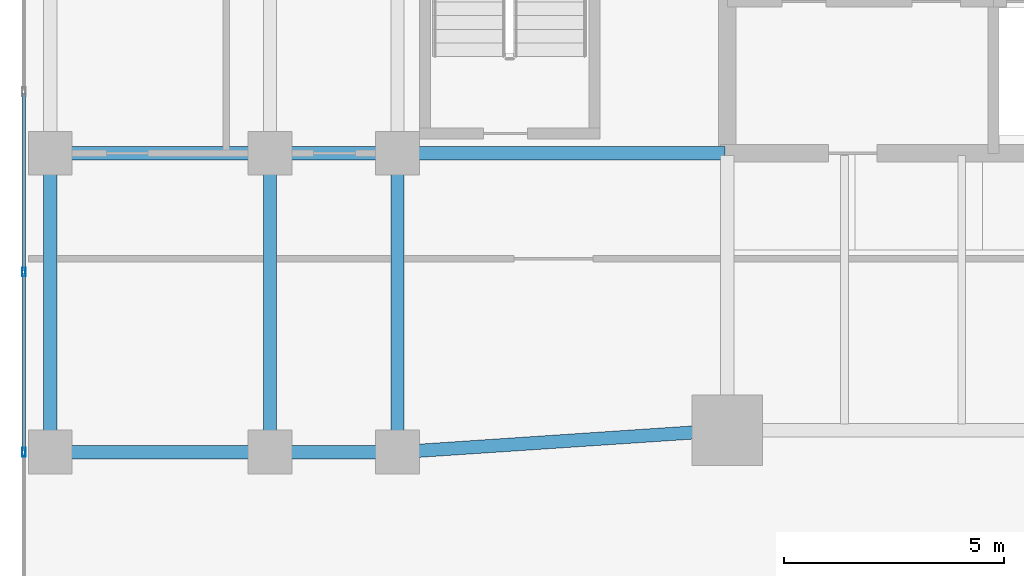
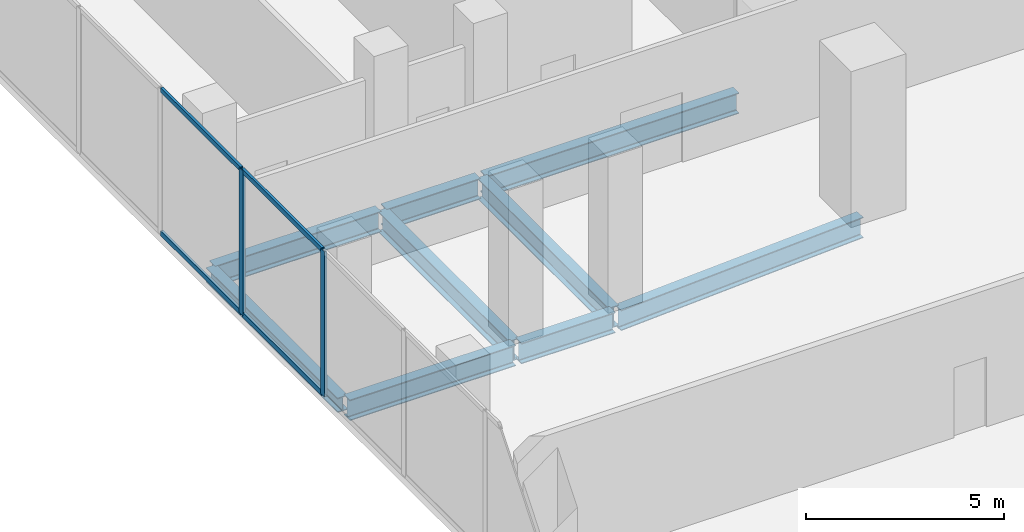
# One storey, part 8 of 24: 9 beams, 6 members, 1 element without a shape of its own.
"""IFC4 building model written with IfcOpenShell, lengths in metres."""

from ifc_helpers import new_model, si_unit, direction, frame, origin, origin_2d, place, context, subcontext, project, spatial, hollow_rectangle, i_section, extrude, material, layer, layer_set, material_profile, profile_set, type_object, element, aggregate, save


model = new_model("IFC4")

# Units and contexts
model_context = context("Model", 3, precision=1e-05, world=origin(), true_north=direction((0.0, 1.0)))
body_context = subcontext(model_context, "Body", "Model", "MODEL_VIEW")
ifc_project = project(units=[si_unit("LENGTHUNIT", "METRE"), si_unit("AREAUNIT", "SQUARE_METRE"), si_unit("VOLUMEUNIT", "CUBIC_METRE"), si_unit("PLANEANGLEUNIT", "RADIAN"), si_unit("MASSUNIT", "GRAM", prefix="KILO")], contexts=[model_context])

# Site, building, storey
site_placement = place(None, origin())
site = spatial("IfcSite", under=ifc_project, at=site_placement, CompositionType="ELEMENT")
building_placement = place(site_placement, origin())
building = spatial("IfcBuilding", under=site, at=building_placement, Name="Catumbela Crestline Tower", CompositionType="ELEMENT")
storey_placement = place(building_placement, frame((0.0, 0.0, 11.1)))
storey = spatial("IfcBuildingStorey", under=building, at=storey_placement, Name="L02", CompositionType="ELEMENT", Elevation=11.1)

# Beams
ifc_material_1 = material(Name="Structural steel S355J2", Category="steel")
ifc_material_profile_1 = material_profile(ifc_material_1, i_section(OverallWidth=0.3, OverallDepth=0.64, WebThickness=0.0135, FlangeThickness=0.026, FilletRadius=0.027, at=origin_2d()), Name="HEA 650")
ifc_profile_set_1 = profile_set([ifc_material_profile_1], Name="Structural steel S355J2")
beam_type_1 = type_object("IfcBeamType", Name="BG-HEA650", PredefinedType="BEAM", material=ifc_profile_set_1)
beam_1_placement = place(storey_placement, frame((0.68, 24.0, -0.64), z_axis=(1.0, 0.0, 0.0), x_axis=(0.0, 1.0, 0.0)))
element("IfcBeam", 1, at=beam_1_placement, inside=storey, type_object=beam_type_1, Name="L02 Beam BM-L02-S01", PredefinedType="BEAM", context=body_context, shape_type="SweptSolid", body=[
    extrude(i_section(OverallWidth=0.3, OverallDepth=0.64, WebThickness=0.0135, FlangeThickness=0.026, FilletRadius=0.027, at=origin_2d()), origin(), (0.0, 0.0, 1.0), 4.84),
])
beam_2_placement = place(storey_placement, frame((5.68, 24.0, -0.64), z_axis=(1.0, 0.0, 0.0), x_axis=(0.0, 1.0, 0.0)))
element("IfcBeam", 2, at=beam_2_placement, inside=storey, type_object=beam_type_1, Name="L02 Beam BM-L02-S02", PredefinedType="BEAM", context=body_context, shape_type="SweptSolid", body=[
    extrude(i_section(OverallWidth=0.3, OverallDepth=0.64, WebThickness=0.0135, FlangeThickness=0.026, FilletRadius=0.027, at=origin_2d()), origin(), (0.0, 0.0, 1.0), 2.74),
])
beam_3_placement = place(storey_placement, frame((8.5798, 24.0053, -0.64), z_axis=(0.997784796964, 0.066524423687, 0.0), x_axis=(-0.066524423687, 0.997784796964, 0.0)))
element("IfcBeam", 3, at=beam_3_placement, inside=storey, type_object=beam_type_1, Name="L02 Beam BM-L02-S03", PredefinedType="BEAM", context=body_context, shape_type="SweptSolid", body=[
    extrude(i_section(OverallWidth=0.3, OverallDepth=0.64, WebThickness=0.0135, FlangeThickness=0.026, FilletRadius=0.027, at=origin_2d()), origin(), (0.0, 0.0, 1.0), 7.3567),
])
beam_4_placement = place(storey_placement, frame((0.68, 30.8, -0.64), z_axis=(1.0, 0.0, 0.0), x_axis=(0.0, 1.0, 0.0)))
element("IfcBeam", 4, at=beam_4_placement, inside=storey, type_object=beam_type_1, Name="L02 Beam BM-L02-M07", PredefinedType="BEAM", context=body_context, shape_type="SweptSolid", body=[
    extrude(i_section(OverallWidth=0.3, OverallDepth=0.64, WebThickness=0.0135, FlangeThickness=0.026, FilletRadius=0.027, at=origin_2d()), origin(), (0.0, 0.0, 1.0), 4.84),
])
beam_5_placement = place(storey_placement, frame((5.68, 30.8, -0.64), z_axis=(1.0, 0.0, 0.0), x_axis=(0.0, 1.0, 0.0)))
element("IfcBeam", 5, at=beam_5_placement, inside=storey, type_object=beam_type_1, Name="L02 Beam BM-L02-M08", PredefinedType="BEAM", context=body_context, shape_type="SweptSolid", body=[
    extrude(i_section(OverallWidth=0.3, OverallDepth=0.64, WebThickness=0.0135, FlangeThickness=0.026, FilletRadius=0.027, at=origin_2d()), origin(), (0.0, 0.0, 1.0), 2.74),
])
beam_6_placement = place(storey_placement, frame((8.58, 30.8, -0.64), z_axis=(1.0, 0.0, 0.0), x_axis=(0.0, 1.0, 0.0)))
element("IfcBeam", 6, at=beam_6_placement, inside=storey, type_object=beam_type_1, Name="L02 Beam BM-L02-M09", PredefinedType="BEAM", context=body_context, shape_type="SweptSolid", body=[
    extrude(i_section(OverallWidth=0.3, OverallDepth=0.64, WebThickness=0.0135, FlangeThickness=0.026, FilletRadius=0.027, at=origin_2d()), origin(), (0.0, 0.0, 1.0), 7.37),
])
for number, where, z_axis, x_axis, name in (
    (7, (5.6, 24.08, -0.64), (0.0, 1.0, 0.0), (-1.0, 0.0, 0.0), "L02 Beam BM-L02-SN25"),
    (8, (8.5, 24.08, -0.64), (0.0, 1.0, 0.0), (-1.0, 0.0, 0.0), "L02 Beam BM-L02-SN27"),
):
    element("IfcBeam", number, at=place(storey_placement, frame(where, z_axis=z_axis, x_axis=x_axis)), inside=storey, type_object=beam_type_1, Name=name, PredefinedType="BEAM", context=body_context, shape_type="SweptSolid", body=[
        extrude(i_section(OverallWidth=0.3, OverallDepth=0.64, WebThickness=0.0135, FlangeThickness=0.026, FilletRadius=0.027, at=origin_2d()), origin(), (0.0, 0.0, 1.0), 6.64),
    ])

# Curtain wall, members
ifc_material_2 = material(Name="Aluminium alloy AW-6060-T66", Category="aluminium")
ifc_layer = layer(ifc_material_2, 0.18, Name="Aluminium alloy AW-6060-T66")
ifc_layer_set = layer_set([ifc_layer], Name="Aluminium alloy AW-6060-T66")
curtain_wall_type = type_object("IfcCurtainWallType", Name="CWS-POD", PredefinedType="USERDEFINED", material=ifc_layer_set)
curtain_wall_placement = place(storey_placement, origin())
curtain_wall = element("IfcCurtainWall", 9, at=curtain_wall_placement, inside=storey, type_object=curtain_wall_type, Name="L02 Stick Curtain Wall CW-L02-E9S1", ObjectType="STICK", PredefinedType="USERDEFINED")
ifc_material_profile_2 = material_profile(ifc_material_2, hollow_rectangle(XDim=0.075, YDim=0.2, WallThickness=0.005, at=origin_2d()), Name="ALU 200x75x5")
ifc_profile_set_2 = profile_set([ifc_material_profile_2], Name="Aluminium alloy AW-6060-T66")
member_type_1 = type_object("IfcMemberType", Name="MUL-200X75", PredefinedType="MULLION", material=ifc_profile_set_2)
member_1_placement = place(storey_placement, frame((0.0, 28.1, 0.0), z_axis=(0.0, 0.0, 1.0), x_axis=(1.0, 0.0, 0.0)))
member_1 = element("IfcMember", 10, at=member_1_placement, type_object=member_type_1, Name="CWS-POD mullion 5", PredefinedType="MULLION", context=body_context, shape_type="SweptSolid", body=[
    extrude(hollow_rectangle(XDim=0.075, YDim=0.2, WallThickness=0.005, at=origin_2d()), origin(), (0.0, 0.0, 1.0), 4.47),
])
member_2_placement = place(storey_placement, frame((0.0, 24.0, 0.0), z_axis=(0.0, 0.0, 1.0), x_axis=(1.0, 0.0, 0.0)))
member_2 = element("IfcMember", 11, at=member_2_placement, type_object=member_type_1, Name="CWS-POD mullion 6", PredefinedType="MULLION", context=body_context, shape_type="SweptSolid", body=[
    extrude(hollow_rectangle(XDim=0.075, YDim=0.2, WallThickness=0.005, at=origin_2d()), origin(), (0.0, 0.0, 1.0), 4.47),
])

# Beam
ifc_material_profile_3 = material_profile(ifc_material_1, i_section(OverallWidth=0.3, OverallDepth=0.45, WebThickness=0.014, FlangeThickness=0.026, FilletRadius=0.027, at=origin_2d()), Name="HEB 450")
ifc_profile_set_3 = profile_set([ifc_material_profile_3], Name="Structural steel S355J2")
beam_type_2 = type_object("IfcBeamType", Name="BS-HEB450", PredefinedType="SPANDREL", material=ifc_profile_set_3)
beam_7_placement = place(storey_placement, frame((0.6, 24.08, -0.545), z_axis=(0.0, 1.0, 0.0), x_axis=(-1.0, 0.0, 0.0)))
element("IfcBeam", 12, at=beam_7_placement, inside=storey, type_object=beam_type_2, Name="L02 Spandrel SP-L02-SN23", PredefinedType="SPANDREL", context=body_context, shape_type="SweptSolid", body=[
    extrude(i_section(OverallWidth=0.3, OverallDepth=0.45, WebThickness=0.014, FlangeThickness=0.026, FilletRadius=0.027, at=origin_2d()), origin(), (0.0, 0.0, 1.0), 6.64),
])

# Member
ifc_material_profile_4 = material_profile(ifc_material_2, hollow_rectangle(XDim=0.075, YDim=0.15, WallThickness=0.0045, at=origin_2d()), Name="ALU 150x75x4.5")
ifc_profile_set_4 = profile_set([ifc_material_profile_4], Name="Aluminium alloy AW-6060-T66")
member_type_2 = type_object("IfcMemberType", Name="TRN-150X75", PredefinedType="USERDEFINED", material=ifc_profile_set_4)
member_3_placement = place(storey_placement, frame((0.0, 32.1675, 0.03), z_axis=(0.0, -1.0, 0.0), x_axis=(1.0, 0.0, 0.0)))
member_3 = element("IfcMember", 13, at=member_3_placement, type_object=member_type_2, Name="CWS-POD transom 4.1", ObjectType="TRANSOM", PredefinedType="USERDEFINED", context=body_context, shape_type="SweptSolid", body=[
    extrude(hollow_rectangle(XDim=0.075, YDim=0.15, WallThickness=0.0045, at=origin_2d()), origin(), (0.0, 0.0, 1.0), 4.035),
])

member_4_placement = place(storey_placement, frame((0.0, 32.1675, 4.44), z_axis=(0.0, -1.0, 0.0), x_axis=(1.0, 0.0, 0.0)))
member_4 = element("IfcMember", 14, at=member_4_placement, type_object=member_type_2, Name="CWS-POD transom 4.2", ObjectType="TRANSOM", PredefinedType="USERDEFINED", context=body_context, shape_type="SweptSolid", body=[
    extrude(hollow_rectangle(XDim=0.075, YDim=0.15, WallThickness=0.0045, at=origin_2d()), origin(), (0.0, 0.0, 1.0), 4.035),
])

member_5_placement = place(storey_placement, frame((0.0, 28.0675, 0.03), z_axis=(0.0, -1.0, 0.0), x_axis=(1.0, 0.0, 0.0)))
member_5 = element("IfcMember", 15, at=member_5_placement, type_object=member_type_2, Name="CWS-POD transom 5.1", ObjectType="TRANSOM", PredefinedType="USERDEFINED", context=body_context, shape_type="SweptSolid", body=[
    extrude(hollow_rectangle(XDim=0.075, YDim=0.15, WallThickness=0.0045, at=origin_2d()), origin(), (0.0, 0.0, 1.0), 4.035),
])

member_6_placement = place(storey_placement, frame((0.0, 28.0675, 4.44), z_axis=(0.0, -1.0, 0.0), x_axis=(1.0, 0.0, 0.0)))
member_6 = element("IfcMember", 16, at=member_6_placement, type_object=member_type_2, Name="CWS-POD transom 5.2", ObjectType="TRANSOM", PredefinedType="USERDEFINED", context=body_context, shape_type="SweptSolid", body=[
    extrude(hollow_rectangle(XDim=0.075, YDim=0.15, WallThickness=0.0045, at=origin_2d()), origin(), (0.0, 0.0, 1.0), 4.035),
])

aggregate(curtain_wall, [member_1, member_2, member_3, member_4, member_5, member_6])

save(model, "model.ifc")
